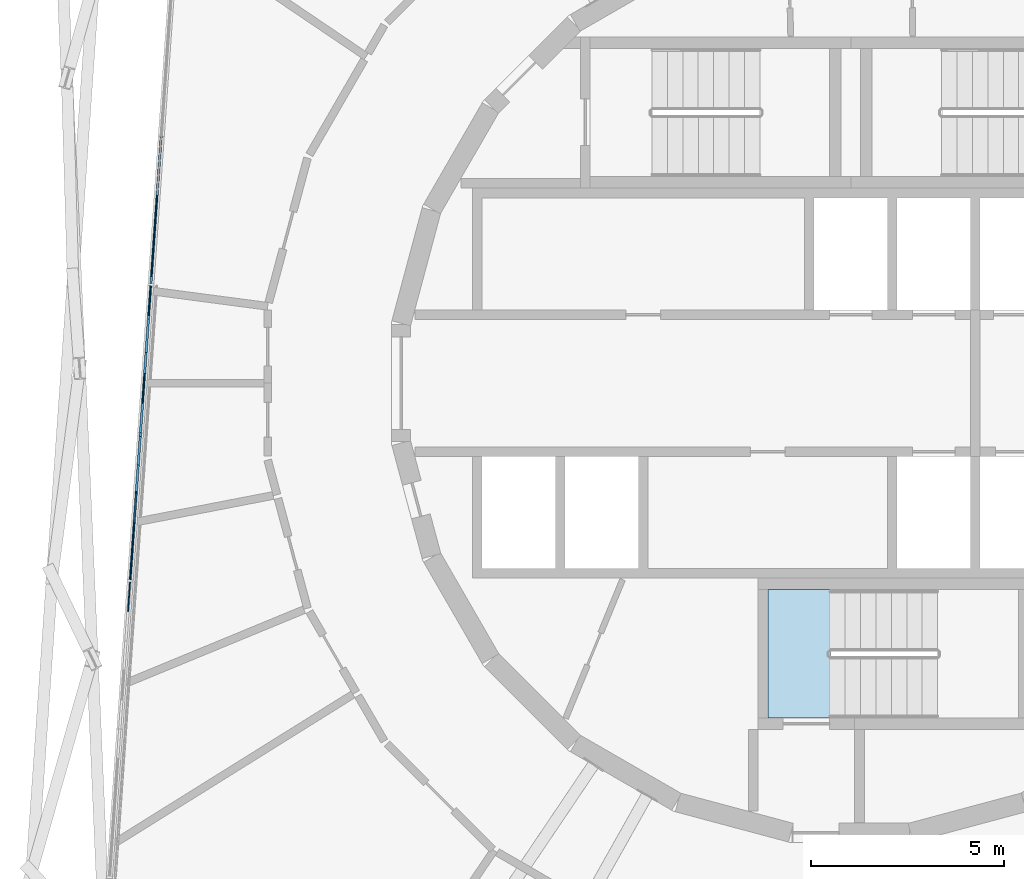
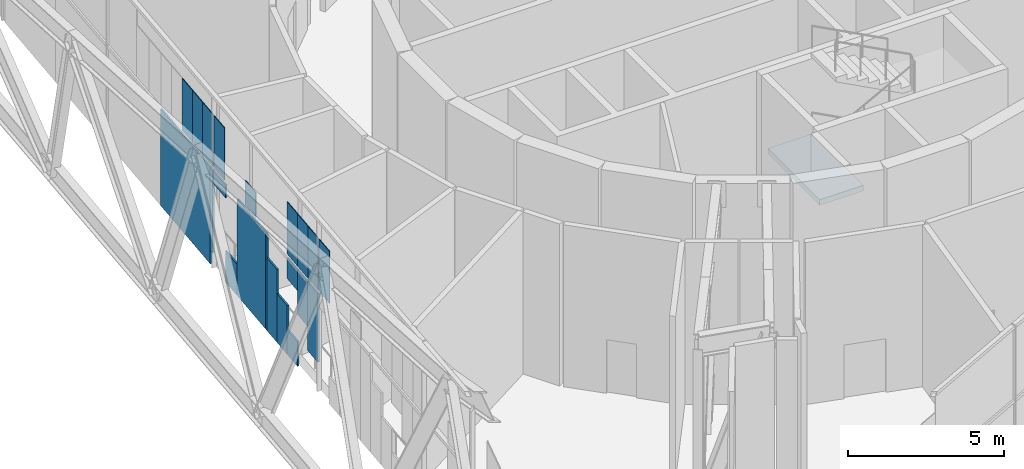
# One storey, part 10 of 24: 21 plates, 1 slab, 2 elements without a shape of their own.
"""IFC4 building model written with IfcOpenShell, lengths in metres."""

from ifc_helpers import new_model, si_unit, direction, frame, origin, origin_2d, place, context, subcontext, project, spatial, polyline, rectangle, outline, extrude, material, layer, layer_set, type_object, element, aggregate, save


model = new_model("IFC4")

# Units and contexts
model_context = context("Model", 3, precision=1e-05, world=origin(), true_north=direction((0.0, 1.0)))
body_context = subcontext(model_context, "Body", "Model", "MODEL_VIEW")
ifc_project = project(units=[si_unit("LENGTHUNIT", "METRE"), si_unit("AREAUNIT", "SQUARE_METRE"), si_unit("VOLUMEUNIT", "CUBIC_METRE"), si_unit("PLANEANGLEUNIT", "RADIAN"), si_unit("MASSUNIT", "GRAM", prefix="KILO")], contexts=[model_context])

# Site, building, storey
site_placement = place(None, origin())
site = spatial("IfcSite", under=ifc_project, at=site_placement, CompositionType="ELEMENT")
building_placement = place(site_placement, origin())
building = spatial("IfcBuilding", under=site, at=building_placement, Name="Spindle Arch Residences", CompositionType="ELEMENT")
storey_placement = place(building_placement, frame((0.0, 0.0, 219.89990234375)))
storey = spatial("IfcBuildingStorey", under=building, at=storey_placement, Name="L56", CompositionType="ELEMENT", Elevation=219.89990234375)

# Stair, slab
ifc_material_1 = material(Name="Concrete C50/60", Category="concrete")
stair_type = type_object("IfcStairType", Name="Exit stair 32 risers", PredefinedType="HALF_TURN_STAIR", material=ifc_material_1)
stair_placement = place(storey_placement, origin())
stair = element("IfcStair", 1, at=stair_placement, inside=storey, type_object=stair_type, Name="L56 Exit stair ST3", PredefinedType="HALF_TURN_STAIR")
ifc_material_2 = material(Name="Concrete C50/60", Category="concrete")
ifc_layer_1 = layer(ifc_material_2, 0.219970703125)
ifc_layer_set_1 = layer_set([ifc_layer_1], Name="Exit stair landing 220")
slab_type = type_object("IfcSlabType", Name="Exit stair landing 220", PredefinedType="LANDING", material=ifc_layer_set_1)
slab_placement = place(storey_placement, frame((0.0, 0.0, 3.18017578125)))
slab = element("IfcSlab", 2, at=slab_placement, type_object=slab_type, Name="ST3 landing 2", PredefinedType="LANDING", context=body_context, shape_type="SweptSolid", body=[
    extrude(outline(polyline([(-2.14990234375, -8.669921875), (-0.530029296875, -8.669921875), (-0.530029296875, -5.35009765625), (-2.14990234375, -5.35009765625), (-2.14990234375, -8.669921875)])), origin(), (0.0, 0.0, 1.0), 0.219970703125),
])
aggregate(stair, [slab])

# Curtain wall, plates
ifc_material_3 = material(Name="Aluminium bronze unitised frame with tinted glass", Category="aluminium")
ifc_layer_2 = layer(ifc_material_3, 0.159912109375)
ifc_layer_set_2 = layer_set([ifc_layer_2], Name="CW-E double-height winter garden wall")
curtain_wall_type = type_object("IfcCurtainWallType", Name="CW-E double-height winter garden wall", PredefinedType="NOTDEFINED", material=ifc_layer_set_2)
curtain_wall_placement = place(storey_placement, origin())
curtain_wall = element("IfcCurtainWall", 3, at=curtain_wall_placement, inside=storey, type_object=curtain_wall_type, Name="CW-E L56 run 4", PredefinedType="NOTDEFINED")
ifc_material_4 = material(Name="Tinted laminated glass 28 mm", Category="glass")
ifc_layer_3 = layer(ifc_material_4, 0.028076171875)
ifc_layer_set_3 = layer_set([ifc_layer_3], Name="Tinted glass panel 28 mm")
plate_type_1 = type_object("IfcPlateType", Name="Tinted glass panel 28 mm", PredefinedType="CURTAIN_PANEL", material=ifc_layer_set_3)
plate_1_placement = place(storey_placement, frame((-17.99169921875, 4.486572265625, 3.460205078125), z_axis=(0.0, 0.0, 1.0), x_axis=(-0.069756473744, -0.99756405026, 0.0)))
plate_1 = element("IfcPlate", 4, at=plate_1_placement, type_object=plate_type_1, Name="CW-E panel 13Bb.3", PredefinedType="CURTAIN_PANEL", context=body_context, shape_type="SweptSolid", body=[
    extrude(rectangle(XDim=0.763427734375, YDim=0.028076171875, at=origin_2d()), origin(), (0.0, 0.0, 1.0), 2.0458984375),
])
plate_2_placement = place(storey_placement, frame((-18.044921875, 3.72509765625, 3.460205078125), z_axis=(0.0, 0.0, 1.0), x_axis=(-0.069756473744, -0.99756405026, 0.0)))
plate_2 = element("IfcPlate", 5, at=plate_2_placement, type_object=plate_type_1, Name="CW-E panel 13Bb.4", PredefinedType="CURTAIN_PANEL", context=body_context, shape_type="SweptSolid", body=[
    extrude(rectangle(XDim=0.763427734375, YDim=0.028076171875, at=origin_2d()), origin(), (0.0, 0.0, 1.0), 2.0458984375),
])
plate_3_placement = place(storey_placement, frame((-18.09814453125, 2.963623046875, 3.460205078125), z_axis=(0.0, 0.0, 1.0), x_axis=(-0.069756473744, -0.99756405026, 0.0)))
plate_3 = element("IfcPlate", 6, at=plate_3_placement, type_object=plate_type_1, Name="CW-E panel 13Bb.5", PredefinedType="CURTAIN_PANEL", context=body_context, shape_type="SweptSolid", body=[
    extrude(rectangle(XDim=0.763427734375, YDim=0.028076171875, at=origin_2d()), origin(), (0.0, 0.0, 1.0), 2.0458984375),
])
plate_4_placement = place(storey_placement, frame((-18.155517578125, 2.142333984375, 3.460205078125), z_axis=(0.0, 0.0, 1.0), x_axis=(-0.069756473744, -0.99756405026, 0.0)))
plate_4 = element("IfcPlate", 7, at=plate_4_placement, type_object=plate_type_1, Name="CW-E panel 14Ab.1", PredefinedType="CURTAIN_PANEL", context=body_context, shape_type="SweptSolid", body=[
    extrude(rectangle(XDim=0.763427734375, YDim=0.028076171875, at=origin_2d()), origin(), (0.0, 0.0, 1.0), 2.0458984375),
])
plate_5_placement = place(storey_placement, frame((-18.315185546875, -0.142333984375, 3.460205078125), z_axis=(0.0, 0.0, 1.0), x_axis=(-0.069756473744, -0.99756405026, 0.0)))
plate_5 = element("IfcPlate", 8, at=plate_5_placement, type_object=plate_type_1, Name="CW-E panel 14Ab.2", PredefinedType="CURTAIN_PANEL", context=body_context, shape_type="SweptSolid", body=[
    extrude(rectangle(XDim=0.763427734375, YDim=0.028076171875, at=origin_2d()), origin(), (0.0, 0.0, 1.0), 0.9560546875),
])
plate_6_placement = place(storey_placement, frame((-18.5283203125, -3.188232421875, 3.460205078125), z_axis=(0.0, 0.0, 1.0), x_axis=(-0.069756473744, -0.99756405026, 0.0)))
plate_6 = element("IfcPlate", 9, at=plate_6_placement, type_object=plate_type_1, Name="CW-E panel 14Bb.1", PredefinedType="CURTAIN_PANEL", context=body_context, shape_type="SweptSolid", body=[
    extrude(rectangle(XDim=0.763427734375, YDim=0.028076171875, at=origin_2d()), origin(), (0.0, 0.0, 1.0), 2.0458984375),
])
plate_7_placement = place(storey_placement, frame((-18.58154296875, -3.94970703125, 3.460205078125), z_axis=(0.0, 0.0, 1.0), x_axis=(-0.069756473744, -0.99756405026, 0.0)))
plate_7 = element("IfcPlate", 10, at=plate_7_placement, type_object=plate_type_1, Name="CW-E panel 14Bb.2", PredefinedType="CURTAIN_PANEL", context=body_context, shape_type="SweptSolid", body=[
    extrude(rectangle(XDim=0.763427734375, YDim=0.028076171875, at=origin_2d()), origin(), (0.0, 0.0, 1.0), 2.0458984375),
])
plate_8_placement = place(storey_placement, frame((-18.634765625, -4.71142578125, 3.460205078125), z_axis=(0.0, 0.0, 1.0), x_axis=(-0.069756473744, -0.99756405026, 0.0)))
plate_8 = element("IfcPlate", 11, at=plate_8_placement, type_object=plate_type_1, Name="CW-E panel 14Bb.3", PredefinedType="CURTAIN_PANEL", context=body_context, shape_type="SweptSolid", body=[
    extrude(rectangle(XDim=0.763427734375, YDim=0.028076171875, at=origin_2d()), origin(), (0.0, 0.0, 1.0), 2.0458984375),
])
plate_9_placement = place(storey_placement, frame((-18.692138671875, -5.53271484375, 3.460205078125), z_axis=(0.0, 0.0, 1.0), x_axis=(-0.069756473744, -0.99756405026, 0.0)))
plate_9 = element("IfcPlate", 12, at=plate_9_placement, type_object=plate_type_1, Name="CW-E panel 15Ab.1", PredefinedType="CURTAIN_PANEL", context=body_context, shape_type="SweptSolid", body=[
    extrude(rectangle(XDim=0.763427734375, YDim=0.028076171875, at=origin_2d()), origin(), (0.0, 0.0, 1.0), 2.0458984375),
])
ifc_material_5 = material(Name="Tinted double glazing over aluminium faced non-combustible spandrel zone (K0)", Category="aluminium")
ifc_layer_4 = layer(ifc_material_5, 0.06005859375)
ifc_layer_set_4 = layer_set([ifc_layer_4], Name="Unitised glass panel with E 60 spandrel zone")
plate_type_2 = type_object("IfcPlateType", Name="Unitised glass panel with E 60 spandrel zone", PredefinedType="CURTAIN_PANEL", material=ifc_layer_set_4)
plate_10_placement = place(storey_placement, frame((-17.9853515625, 4.576904296875, -0.449951171875), z_axis=(0.0, 0.0, 1.0), x_axis=(-0.069756473744, -0.99756405026, 0.0)))
plate_10 = element("IfcPlate", 13, at=plate_10_placement, type_object=plate_type_2, Name="CW-E panel 13Ba.1", PredefinedType="CURTAIN_PANEL", context=body_context, shape_type="SweptSolid", body=[
    extrude(rectangle(XDim=3.6357421875, YDim=0.06005859375, at=origin_2d()), origin(), (0.0, 0.0, 1.0), 3.7900390625),
])
plate_11_placement = place(storey_placement, frame((-18.118408203125, 2.673095703125, 0.08740234375), z_axis=(0.0, 0.0, 1.0), x_axis=(-0.069756473744, -0.99756405026, 0.0)))
plate_11 = element("IfcPlate", 14, at=plate_11_placement, type_object=plate_type_2, Name="CW-E panel 13Ba.2", PredefinedType="CURTAIN_PANEL", context=body_context, shape_type="SweptSolid", body=[
    extrude(rectangle(XDim=0.18115234375, YDim=0.06005859375, at=origin_2d()), origin(), (0.0, 0.0, 1.0), 3.252685546875),
])
plate_12_placement = place(storey_placement, frame((-18.1591796875, 2.0908203125, 2.8359375), z_axis=(0.0, 0.0, 1.0), x_axis=(-0.069756473744, -0.99756405026, 0.0)))
plate_12 = element("IfcPlate", 15, at=plate_12_placement, type_object=plate_type_2, Name="CW-E panel 14Aa.1", PredefinedType="CURTAIN_PANEL", context=body_context, shape_type="SweptSolid", body=[
    extrude(rectangle(XDim=0.866455078125, YDim=0.06005859375, at=origin_2d()), origin(), (0.0, 0.0, 1.0), 0.504150390625),
])
plate_13_placement = place(storey_placement, frame((-18.219482421875, 1.2265625, -0.44970703125), z_axis=(0.0, 0.0, 1.0), x_axis=(-0.069756473744, -0.99756405026, 0.0)))
plate_13 = element("IfcPlate", 16, at=plate_13_placement, type_object=plate_type_2, Name="CW-E panel 14Aa.2", PredefinedType="CURTAIN_PANEL", context=body_context, shape_type="SweptSolid", body=[
    extrude(rectangle(XDim=0.866455078125, YDim=0.06005859375, at=origin_2d()), origin(), (0.0, 0.0, 1.0), 1.219482421875),
])
plate_14_placement = place(storey_placement, frame((-18.322509765625, -0.2451171875, -0.449951171875), z_axis=(0.0, 0.0, 1.0), x_axis=(-0.069756473744, -0.99756405026, 0.0)))
plate_14 = element("IfcPlate", 17, at=plate_14_placement, type_object=plate_type_2, Name="CW-E panel 14Aa.3", PredefinedType="CURTAIN_PANEL", context=body_context, shape_type="SweptSolid", body=[
    extrude(rectangle(XDim=2.083984375, YDim=0.06005859375, at=origin_2d()), origin(), (0.0, 0.0, 1.0), 3.7900390625),
])
plate_15_placement = place(storey_placement, frame((-18.3984375, -1.330078125, -0.449951171875), z_axis=(0.0, 0.0, 1.0), x_axis=(-0.069756473744, -0.99756405026, 0.0)))
plate_15 = element("IfcPlate", 18, at=plate_15_placement, type_object=plate_type_2, Name="CW-E panel 14Ba.1", PredefinedType="CURTAIN_PANEL", context=body_context, shape_type="SweptSolid", body=[
    extrude(rectangle(XDim=0.09130859375, YDim=0.06005859375, at=origin_2d()), origin(), (0.0, 0.0, 1.0), 3.7900390625),
])
plate_16_placement = place(storey_placement, frame((-18.427490234375, -1.747314453125, -0.449951171875), z_axis=(0.0, 0.0, 1.0), x_axis=(-0.069756473744, -0.99756405026, 0.0)))
plate_16 = element("IfcPlate", 19, at=plate_16_placement, type_object=plate_type_2, Name="CW-E panel 14Ba.2", PredefinedType="CURTAIN_PANEL", context=body_context, shape_type="SweptSolid", body=[
    extrude(rectangle(XDim=0.7451171875, YDim=0.06005859375, at=origin_2d()), origin(), (0.0, 0.0, 1.0), 2.85205078125),
])
plate_17_placement = place(storey_placement, frame((-18.4794921875, -2.49072265625, -0.449951171875), z_axis=(0.0, 0.0, 1.0), x_axis=(-0.069756473744, -0.99756405026, 0.0)))
plate_17 = element("IfcPlate", 20, at=plate_17_placement, type_object=plate_type_2, Name="CW-E panel 14Ba.3", PredefinedType="CURTAIN_PANEL", context=body_context, shape_type="SweptSolid", body=[
    extrude(rectangle(XDim=0.7451171875, YDim=0.06005859375, at=origin_2d()), origin(), (0.0, 0.0, 1.0), 1.9140625),
])
plate_18_placement = place(storey_placement, frame((-18.531494140625, -3.23388671875, -0.449951171875), z_axis=(0.0, 0.0, 1.0), x_axis=(-0.069756473744, -0.99756405026, 0.0)))
plate_18 = element("IfcPlate", 21, at=plate_18_placement, type_object=plate_type_2, Name="CW-E panel 14Ba.4", PredefinedType="CURTAIN_PANEL", context=body_context, shape_type="SweptSolid", body=[
    extrude(rectangle(XDim=0.7451171875, YDim=0.06005859375, at=origin_2d()), origin(), (0.0, 0.0, 1.0), 0.97607421875),
])
plate_19_placement = place(storey_placement, frame((-18.531494140625, -3.23388671875, 2.525146484375), z_axis=(0.0, 0.0, 1.0), x_axis=(-0.069756473744, -0.99756405026, 0.0)))
plate_19 = element("IfcPlate", 22, at=plate_19_placement, type_object=plate_type_2, Name="CW-E panel 14Ba.5", PredefinedType="CURTAIN_PANEL", context=body_context, shape_type="SweptSolid", body=[
    extrude(rectangle(XDim=0.7451171875, YDim=0.06005859375, at=origin_2d()), origin(), (0.0, 0.0, 1.0), 0.81494140625),
])
plate_20_placement = place(storey_placement, frame((-18.58349609375, -3.97705078125, 1.58740234375), z_axis=(0.0, 0.0, 1.0), x_axis=(-0.069756473744, -0.99756405026, 0.0)))
plate_20 = element("IfcPlate", 23, at=plate_20_placement, type_object=plate_type_2, Name="CW-E panel 14Ba.6", PredefinedType="CURTAIN_PANEL", context=body_context, shape_type="SweptSolid", body=[
    extrude(rectangle(XDim=0.7451171875, YDim=0.06005859375, at=origin_2d()), origin(), (0.0, 0.0, 1.0), 1.752685546875),
])
plate_21_placement = place(storey_placement, frame((-18.635498046875, -4.720458984375, 0.6494140625), z_axis=(0.0, 0.0, 1.0), x_axis=(-0.069756473744, -0.99756405026, 0.0)))
plate_21 = element("IfcPlate", 24, at=plate_21_placement, type_object=plate_type_2, Name="CW-E panel 14Ba.7", PredefinedType="CURTAIN_PANEL", context=body_context, shape_type="SweptSolid", body=[
    extrude(rectangle(XDim=0.7451171875, YDim=0.06005859375, at=origin_2d()), origin(), (0.0, 0.0, 1.0), 2.690673828125),
])
aggregate(curtain_wall, [plate_10, plate_11, plate_1, plate_2, plate_3, plate_12, plate_13, plate_14, plate_4, plate_5, plate_15, plate_16, plate_17, plate_18, plate_19, plate_20, plate_21, plate_6, plate_7, plate_8, plate_9])

save(model, "model.ifc")
